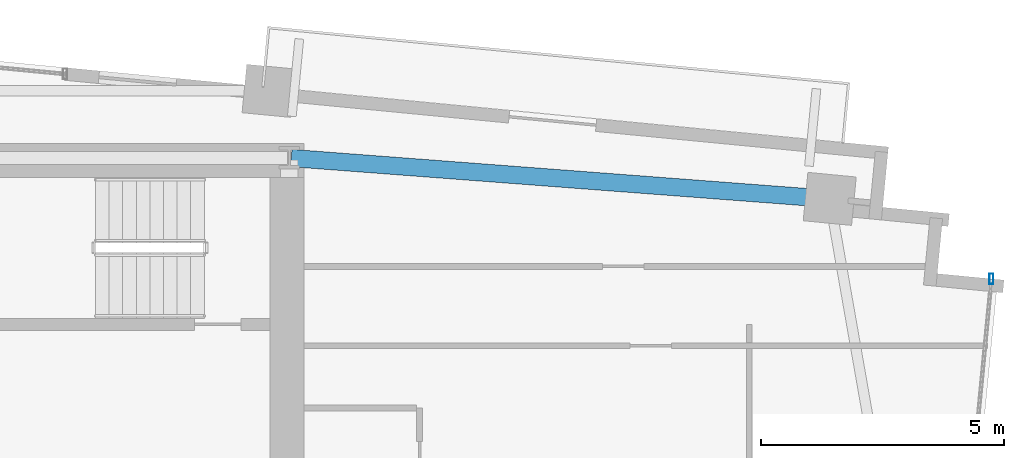
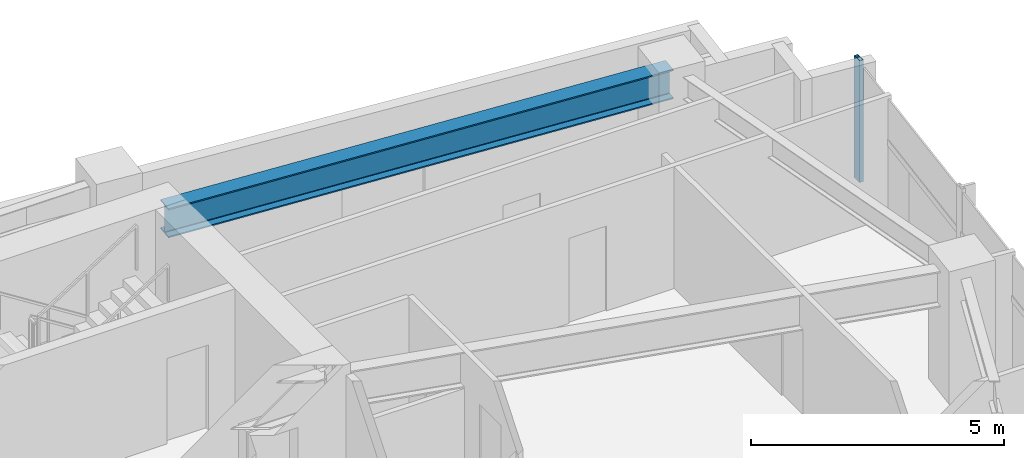
# One storey, part 13 of 20: 1 beam, 1 member, 1 element without a shape of its own.
"""IFC4 building model written with IfcOpenShell, lengths in metres."""

from ifc_helpers import new_model, si_unit, direction, frame, origin, origin_2d, place, context, subcontext, project, spatial, hollow_rectangle, i_section, extrude, source, transform, mapped, material, material_profile, profile_set, type_object, type_shapes, element, aggregate, save


model = new_model("IFC4")

# Units and contexts
model_context = context("Model", 3, precision=1e-05, world=origin(), true_north=direction((0.0, 1.0)))
body_context = subcontext(model_context, "Body", "Model", "MODEL_VIEW")
ifc_project = project(units=[si_unit("LENGTHUNIT", "METRE"), si_unit("AREAUNIT", "SQUARE_METRE"), si_unit("VOLUMEUNIT", "CUBIC_METRE"), si_unit("PLANEANGLEUNIT", "RADIAN"), si_unit("MASSUNIT", "GRAM", prefix="KILO")], contexts=[model_context])

# Site, building, storey
site_placement = place(None, origin())
site = spatial("IfcSite", under=ifc_project, at=site_placement, CompositionType="ELEMENT")
building_placement = place(site_placement, origin())
building = spatial("IfcBuilding", under=site, at=building_placement, Name="Astriad Promenade Condominiums", CompositionType="ELEMENT")
storey_placement = place(building_placement, frame((0.0, 0.0, 131.0)))
storey = spatial("IfcBuildingStorey", under=building, at=storey_placement, Name="L37", CompositionType="ELEMENT", Elevation=131.0)

# Beam
ifc_material_1 = material(Name="Steel ASTM A992 Grade 50", Category="steel")
ifc_material_profile_1 = material_profile(ifc_material_1, i_section(OverallWidth=0.35791015625, OverallDepth=0.706298828125, WebThickness=0.018310546875, FlangeThickness=0.0302734375, FilletRadius=0.020263671875, at=origin_2d()), Name="W27X178")
ifc_profile_set_1 = profile_set([ifc_material_profile_1], Name="Steel ASTM A992 Grade 50")
beam_type = type_object("IfcBeamType", Name="STEEL FLOOR GIRDER W27X178", PredefinedType="BEAM", material=ifc_profile_set_1)
shared_shape_1 = source(origin(), body_context, "Body", "SweptSolid", [
    extrude(i_section(OverallWidth=0.35791015625, OverallDepth=0.706298828125, WebThickness=0.018310546875, FlangeThickness=0.0302734375, FilletRadius=0.020263671875, at=origin_2d()), origin(), (0.0, 0.0, 1.0), 11.0712890625),
])
type_shapes(beam_type, [shared_shape_1])
beam_placement = place(storey_placement, frame((56.679443359375, 23.15966796875, 2.5869140625), z_axis=(-0.997135384808, 0.075637453445, 0.0), x_axis=(-0.075637453445, -0.997135384808, 0.0)))
element("IfcBeam", 1, at=beam_placement, inside=storey, type_object=beam_type, Name="Primary Floor Girder PG-NE-L37", PredefinedType="BEAM", context=body_context, shape_type="MappedRepresentation", body=[
    mapped(shared_shape_1, transform((0.0, 0.0, 0.0), scale=1.0)),
])

# Curtain wall, member
ifc_material_2 = material(Name="Anodised aluminium Black Dark Glass Unitised", Category="aluminium")
curtain_wall_type = type_object("IfcCurtainWallType", Name="CW-B34-DARK", PredefinedType="USERDEFINED", material=ifc_material_2)
curtain_wall_placement = place(storey_placement, origin())
curtain_wall = element("IfcCurtainWall", 2, at=curtain_wall_placement, inside=storey, type_object=curtain_wall_type, Name="CW-L37-E", ObjectType="UNITISED_CURTAIN_WALL", PredefinedType="USERDEFINED")
ifc_material_3 = material(Name="Anodised aluminium 6063-T6 Black", Category="aluminium")
ifc_material_profile_2 = material_profile(ifc_material_3, hollow_rectangle(XDim=0.0849609375, YDim=0.219970703125, WallThickness=0.0048828125, at=origin_2d()), Name="ALU-MUL-85X220")
ifc_profile_set_2 = profile_set([ifc_material_profile_2], Name="Anodised aluminium 6063-T6 Black")
member_type = type_object("IfcMemberType", Name="MUL-ALU-MUL-85X220", PredefinedType="MULLION", material=ifc_profile_set_2)
shared_shape_2 = source(origin(), body_context, "Body", "SweptSolid", [
    extrude(hollow_rectangle(XDim=0.0849609375, YDim=0.219970703125, WallThickness=0.0048828125, at=origin_2d()), origin(), (0.0, 0.0, 1.0), 2.93994140625),
])
type_shapes(member_type, [shared_shape_2])
member_placement = place(storey_placement, frame((60.046875, 21.51025390625, 0.0), z_axis=(0.0, 0.0, 1.0), x_axis=(1.0, 0.0, 0.0)))
member = element("IfcMember", 3, at=member_placement, type_object=member_type, Name="CW-L37-E-MUL-00", PredefinedType="MULLION", context=body_context, shape_type="MappedRepresentation", body=[
    mapped(shared_shape_2, transform((0.0, 0.0, 0.0), scale=1.0)),
])
aggregate(curtain_wall, [member])

save(model, "model.ifc")
